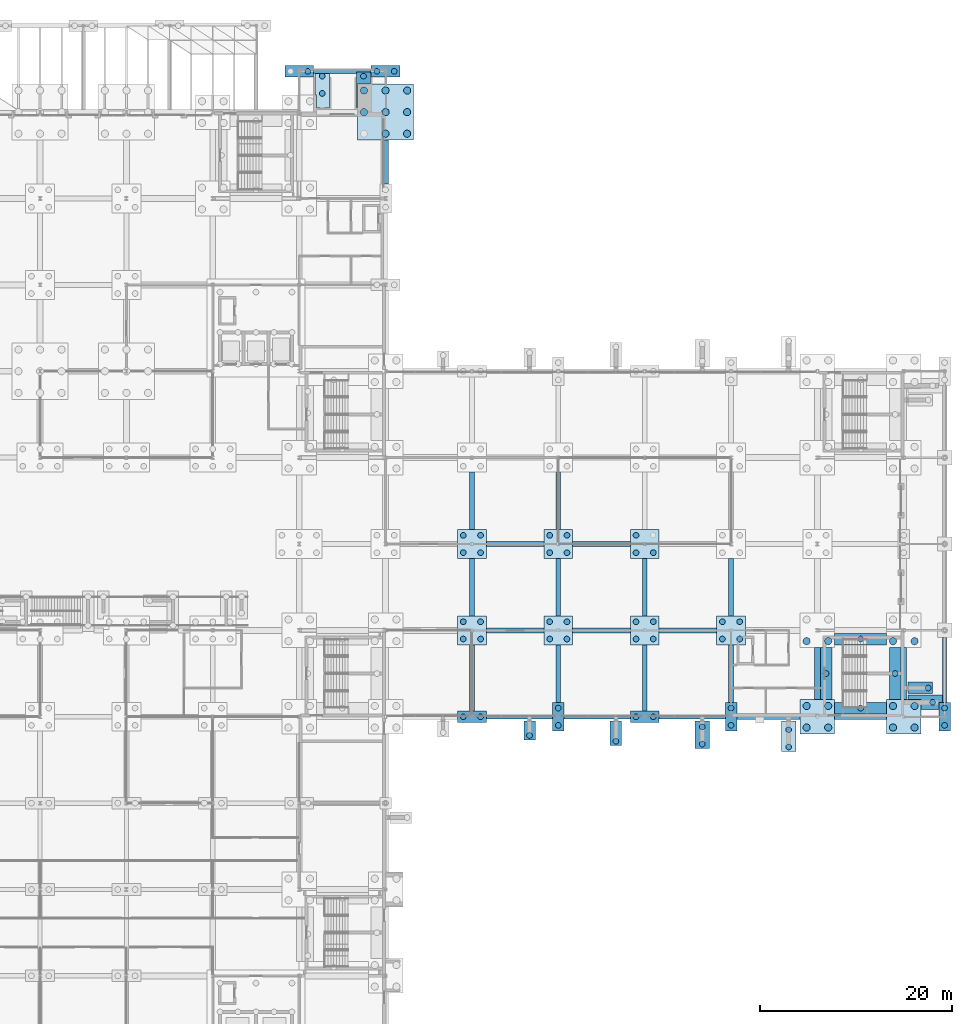
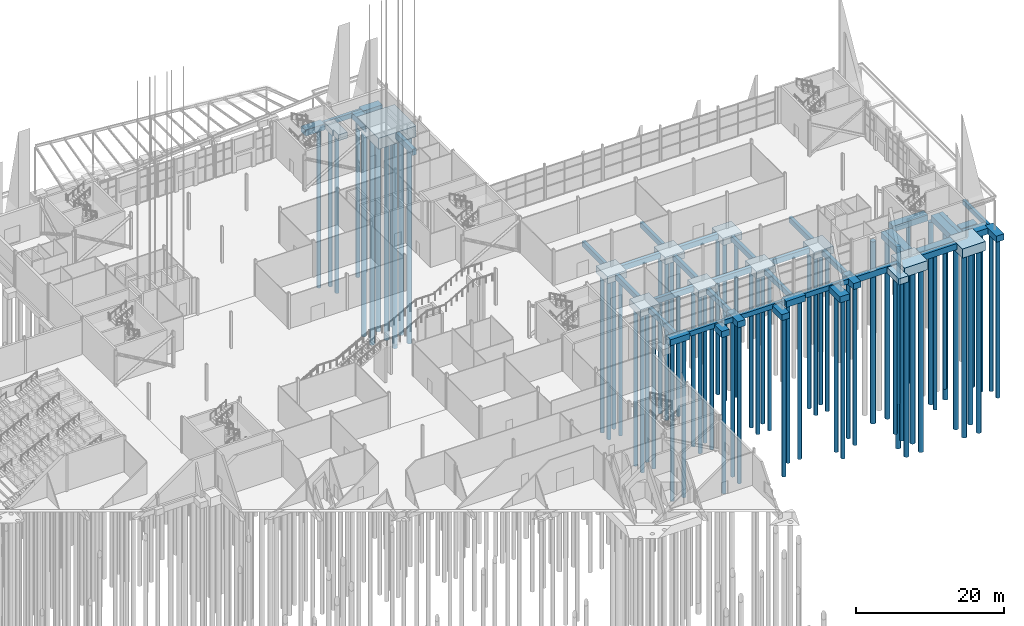
# One storey, part 9 of 139: 75 piles, 54 footings.
"""IFC4 building model written with IfcOpenShell, lengths in metres."""

from ifc_helpers import new_model, si_unit, direction, frame, origin, origin_2d, place, context, subcontext, project, spatial, polyline, rectangle, circle, outline, extrude, material, material_profile, profile_set, type_object, element, save


model = new_model("IFC4")

# Units and contexts
model_context = context("Model", 3, precision=1e-05, world=origin(), true_north=direction((0.0, 1.0)))
body_context = subcontext(model_context, "Body", "Model", "MODEL_VIEW")
ifc_project = project(units=[si_unit("LENGTHUNIT", "METRE"), si_unit("AREAUNIT", "SQUARE_METRE"), si_unit("VOLUMEUNIT", "CUBIC_METRE"), si_unit("PLANEANGLEUNIT", "RADIAN"), si_unit("MASSUNIT", "GRAM", prefix="KILO")], contexts=[model_context])

# Site, building, storey
site_placement = place(None, origin())
site = spatial("IfcSite", under=ifc_project, at=site_placement, CompositionType="ELEMENT")
building_placement = place(site_placement, origin())
building = spatial("IfcBuilding", under=site, at=building_placement, Name="Shorebreak Coast Museum", CompositionType="ELEMENT")
storey_placement = place(building_placement, origin())
storey = spatial("IfcBuildingStorey", under=building, at=storey_placement, Name="L00", CompositionType="ELEMENT", Elevation=0.0)

# Footings
ifc_material_1 = material(Name="Concrete N50 (50 MPa)", Category="concrete")
footing_type_1 = type_object("IfcFootingType", Name="Footing ground beam 450x800", PredefinedType="FOOTING_BEAM", material=ifc_material_1)
for number, where, z_axis, x_axis, name in (
    (1, (130.949951171875, 54.0, -1.10009765625), (0.0, 0.0, 1.0), (1.0, 0.0, 0.0), "Ground beam 15G to 16G"),
    (2, (139.050048828125, 54.0, -1.10009765625), (0.0, 0.0, 1.0), (1.0, 0.0, 0.0), "Ground beam 16G to 17G"),
    (3, (148.949951171875, 54.0, -1.10009765625), (0.0, 0.0, 1.0), (1.0, 0.0, 0.0), "Ground beam 17G to 18G"),
):
    element("IfcFooting", number, at=place(storey_placement, frame(where, z_axis=z_axis, x_axis=x_axis)), inside=storey, type_object=footing_type_1, Name=name, PredefinedType="FOOTING_BEAM", context=body_context, shape_type="SweptSolid", body=[
        extrude(rectangle(XDim=6.89990234375, YDim=0.449951171875, at=origin_2d()), origin(), (0.0, 0.0, 1.0), 0.800048828125),
    ])
footing_1_placement = place(storey_placement, frame((112.5, 121.25, -1.10009765625), z_axis=(0.0, 0.0, 1.0), x_axis=(1.0, 0.0, 0.0)))
element("IfcFooting", 4, at=footing_1_placement, inside=storey, type_object=footing_type_1, Name="Ground beam arcade north 3 to 4", PredefinedType="FOOTING_BEAM", context=body_context, shape_type="SweptSolid", body=[
    extrude(rectangle(XDim=6.0, YDim=0.449951171875, at=origin_2d()), origin(), (0.0, 0.0, 1.0), 0.800048828125),
])
footing_2_placement = place(storey_placement, frame((175.25, 58.875, -1.10009765625), z_axis=(0.0, 0.0, 1.0), x_axis=(1.0, 0.0, 0.0)))
element("IfcFooting", 5, at=footing_2_placement, inside=storey, type_object=footing_type_1, Name="Ground beam arcade east 1 to 2", PredefinedType="FOOTING_BEAM", context=body_context, shape_type="SweptSolid", body=[
    extrude(rectangle(XDim=0.449951171875, YDim=6.75, at=origin_2d()), origin(), (0.0, 0.0, 1.0), 0.800048828125),
])
ifc_material_2 = material(Name="Concrete N50 (50 MPa)", Category="concrete")
footing_type_2 = type_object("IfcFootingType", Name="Footing ground beam 500x900", PredefinedType="FOOTING_BEAM", material=ifc_material_2)
footing_3_placement = place(storey_placement, frame((126.0, 58.050048828125, -1.199951171875), z_axis=(0.0, 0.0, 1.0), x_axis=(1.0, 0.0, 0.0)))
element("IfcFooting", 6, at=footing_3_placement, inside=storey, type_object=footing_type_2, Name="Ground beam 15G to 15H", PredefinedType="FOOTING_BEAM", context=body_context, shape_type="SweptSolid", body=[
    extrude(rectangle(XDim=0.5, YDim=6.89990234375, at=origin_2d()), origin(), (0.0, 0.0, 1.0), 0.89990234375),
])
footing_4_placement = place(storey_placement, frame((135.0, 58.5, -1.199951171875), z_axis=(0.0, 0.0, 1.0), x_axis=(1.0, 0.0, 0.0)))
element("IfcFooting", 7, at=footing_4_placement, inside=storey, type_object=footing_type_2, Name="Ground beam 16G to 16H", PredefinedType="FOOTING_BEAM", context=body_context, shape_type="SweptSolid", body=[
    extrude(rectangle(XDim=0.5, YDim=6.0, at=origin_2d()), origin(), (0.0, 0.0, 1.0), 0.89990234375),
])
footing_5_placement = place(storey_placement, frame((144.0, 58.050048828125, -1.199951171875), z_axis=(0.0, 0.0, 1.0), x_axis=(1.0, 0.0, 0.0)))
element("IfcFooting", 8, at=footing_5_placement, inside=storey, type_object=footing_type_2, Name="Ground beam 17G to 17H", PredefinedType="FOOTING_BEAM", context=body_context, shape_type="SweptSolid", body=[
    extrude(rectangle(XDim=0.5, YDim=6.89990234375, at=origin_2d()), origin(), (0.0, 0.0, 1.0), 0.89990234375),
])
footing_6_placement = place(storey_placement, frame((153.0, 58.5, -1.199951171875), z_axis=(0.0, 0.0, 1.0), x_axis=(1.0, 0.0, 0.0)))
element("IfcFooting", 9, at=footing_6_placement, inside=storey, type_object=footing_type_2, Name="Ground beam 18G to 18H", PredefinedType="FOOTING_BEAM", context=body_context, shape_type="SweptSolid", body=[
    extrude(rectangle(XDim=0.5, YDim=6.0, at=origin_2d()), origin(), (0.0, 0.0, 1.0), 0.89990234375),
])
footing_7_placement = place(storey_placement, frame((130.5, 63.0, -1.199951171875), z_axis=(0.0, 0.0, 1.0), x_axis=(1.0, 0.0, 0.0)))
element("IfcFooting", 10, at=footing_7_placement, inside=storey, type_object=footing_type_2, Name="Ground beam 15H to 16H", PredefinedType="FOOTING_BEAM", context=body_context, shape_type="SweptSolid", body=[
    extrude(rectangle(XDim=6.0, YDim=0.5, at=origin_2d()), origin(), (0.0, 0.0, 1.0), 0.89990234375),
])
footing_8_placement = place(storey_placement, frame((126.0, 67.5, -1.199951171875), z_axis=(0.0, 0.0, 1.0), x_axis=(1.0, 0.0, 0.0)))
element("IfcFooting", 11, at=footing_8_placement, inside=storey, type_object=footing_type_2, Name="Ground beam 15H to 15J", PredefinedType="FOOTING_BEAM", context=body_context, shape_type="SweptSolid", body=[
    extrude(rectangle(XDim=0.5, YDim=6.0, at=origin_2d()), origin(), (0.0, 0.0, 1.0), 0.89990234375),
])
footing_9_placement = place(storey_placement, frame((139.5, 63.0, -1.199951171875), z_axis=(0.0, 0.0, 1.0), x_axis=(1.0, 0.0, 0.0)))
element("IfcFooting", 12, at=footing_9_placement, inside=storey, type_object=footing_type_2, Name="Ground beam 16H to 17H", PredefinedType="FOOTING_BEAM", context=body_context, shape_type="SweptSolid", body=[
    extrude(rectangle(XDim=6.0, YDim=0.5, at=origin_2d()), origin(), (0.0, 0.0, 1.0), 0.89990234375),
])
footing_10_placement = place(storey_placement, frame((135.0, 67.5, -1.199951171875), z_axis=(0.0, 0.0, 1.0), x_axis=(1.0, 0.0, 0.0)))
element("IfcFooting", 13, at=footing_10_placement, inside=storey, type_object=footing_type_2, Name="Ground beam 16H to 16J", PredefinedType="FOOTING_BEAM", context=body_context, shape_type="SweptSolid", body=[
    extrude(rectangle(XDim=0.5, YDim=6.0, at=origin_2d()), origin(), (0.0, 0.0, 1.0), 0.89990234375),
])
footing_11_placement = place(storey_placement, frame((148.5, 63.0, -1.199951171875), z_axis=(0.0, 0.0, 1.0), x_axis=(1.0, 0.0, 0.0)))
element("IfcFooting", 14, at=footing_11_placement, inside=storey, type_object=footing_type_2, Name="Ground beam 17H to 18H", PredefinedType="FOOTING_BEAM", context=body_context, shape_type="SweptSolid", body=[
    extrude(rectangle(XDim=6.0, YDim=0.5, at=origin_2d()), origin(), (0.0, 0.0, 1.0), 0.89990234375),
])
for number, where, z_axis, x_axis, name in (
    (15, (144.0, 67.5, -1.199951171875), (0.0, 0.0, 1.0), (1.0, 0.0, 0.0), "Ground beam 17H to 17J"),
    (16, (153.0, 67.5, -1.199951171875), (0.0, 0.0, 1.0), (1.0, 0.0, 0.0), "Ground beam 18H to 18J"),
):
    element("IfcFooting", number, at=place(storey_placement, frame(where, z_axis=z_axis, x_axis=x_axis)), inside=storey, type_object=footing_type_2, Name=name, PredefinedType="FOOTING_BEAM", context=body_context, shape_type="SweptSolid", body=[
        extrude(rectangle(XDim=0.5, YDim=6.0, at=origin_2d()), origin(), (0.0, 0.0, 1.0), 0.89990234375),
    ])
footing_12_placement = place(storey_placement, frame((130.5, 72.0, -1.199951171875), z_axis=(0.0, 0.0, 1.0), x_axis=(1.0, 0.0, 0.0)))
element("IfcFooting", 17, at=footing_12_placement, inside=storey, type_object=footing_type_2, Name="Ground beam 15J to 16J", PredefinedType="FOOTING_BEAM", context=body_context, shape_type="SweptSolid", body=[
    extrude(rectangle(XDim=6.0, YDim=0.5, at=origin_2d()), origin(), (0.0, 0.0, 1.0), 0.89990234375),
])
footing_13_placement = place(storey_placement, frame((126.0, 76.5, -1.199951171875), z_axis=(0.0, 0.0, 1.0), x_axis=(1.0, 0.0, 0.0)))
element("IfcFooting", 18, at=footing_13_placement, inside=storey, type_object=footing_type_2, Name="Ground beam 15J to 15K", PredefinedType="FOOTING_BEAM", context=body_context, shape_type="SweptSolid", body=[
    extrude(rectangle(XDim=0.5, YDim=6.0, at=origin_2d()), origin(), (0.0, 0.0, 1.0), 0.89990234375),
])
footing_14_placement = place(storey_placement, frame((139.5, 72.0, -1.199951171875), z_axis=(0.0, 0.0, 1.0), x_axis=(1.0, 0.0, 0.0)))
element("IfcFooting", 19, at=footing_14_placement, inside=storey, type_object=footing_type_2, Name="Ground beam 16J to 17J", PredefinedType="FOOTING_BEAM", context=body_context, shape_type="SweptSolid", body=[
    extrude(rectangle(XDim=6.0, YDim=0.5, at=origin_2d()), origin(), (0.0, 0.0, 1.0), 0.89990234375),
])
footing_15_placement = place(storey_placement, frame((135.0, 76.5, -1.199951171875), z_axis=(0.0, 0.0, 1.0), x_axis=(1.0, 0.0, 0.0)))
element("IfcFooting", 20, at=footing_15_placement, inside=storey, type_object=footing_type_2, Name="Ground beam 16J to 16K", PredefinedType="FOOTING_BEAM", context=body_context, shape_type="SweptSolid", body=[
    extrude(rectangle(XDim=0.5, YDim=6.0, at=origin_2d()), origin(), (0.0, 0.0, 1.0), 0.89990234375),
])
ifc_material_3 = material(Name="Concrete N50 (50 MPa)", Category="concrete")
footing_type_3 = type_object("IfcFootingType", Name="Footing ground beam 600x1000", PredefinedType="FOOTING_BEAM", material=ifc_material_3)
footing_16_placement = place(storey_placement, frame((156.89990234375, 54.0, -1.300048828125), z_axis=(0.0, 0.0, 1.0), x_axis=(1.0, 0.0, 0.0)))
element("IfcFooting", 21, at=footing_16_placement, inside=storey, type_object=footing_type_3, Name="Ground beam 18G to 19G", PredefinedType="FOOTING_BEAM", context=body_context, shape_type="SweptSolid", body=[
    extrude(rectangle(XDim=6.60009765625, YDim=0.60009765625, at=origin_2d()), origin(), (0.0, 0.0, 1.0), 1.0),
])
footing_17_placement = place(storey_placement, frame((166.5, 54.0, -1.300048828125), z_axis=(0.0, 0.0, 1.0), x_axis=(1.0, 0.0, 0.0)))
element("IfcFooting", 22, at=footing_17_placement, inside=storey, type_object=footing_type_3, Name="Ground beam 19G to 20G", PredefinedType="FOOTING_BEAM", context=body_context, shape_type="SweptSolid", body=[
    extrude(rectangle(XDim=5.39990234375, YDim=0.60009765625, at=origin_2d()), origin(), (0.0, 0.0, 1.0), 1.0),
])
for number, where, z_axis, x_axis, name in (
    (23, (162.0, 58.5, -1.300048828125), (0.0, 0.0, 1.0), (1.0, 0.0, 0.0), "Ground beam 19G to 19H"),
    (24, (171.0, 58.5, -1.300048828125), (0.0, 0.0, 1.0), (1.0, 0.0, 0.0), "Ground beam 20G to 20H"),
):
    element("IfcFooting", number, at=place(storey_placement, frame(where, z_axis=z_axis, x_axis=x_axis)), inside=storey, type_object=footing_type_3, Name=name, PredefinedType="FOOTING_BEAM", context=body_context, shape_type="SweptSolid", body=[
        extrude(rectangle(XDim=0.60009765625, YDim=5.39990234375, at=origin_2d()), origin(), (0.0, 0.0, 1.0), 1.0),
    ])
footing_18_placement = place(storey_placement, frame((117.0, 111.78759765625, -1.300048828125), z_axis=(0.0, 0.0, 1.0), x_axis=(1.0, 0.0, 0.0)))
element("IfcFooting", 25, at=footing_18_placement, inside=storey, type_object=footing_type_3, Name="Ground beam 14N to 14P", PredefinedType="FOOTING_BEAM", context=body_context, shape_type="SweptSolid", body=[
    extrude(rectangle(XDim=0.60009765625, YDim=4.574951171875, at=origin_2d()), origin(), (0.0, 0.0, 1.0), 1.0),
])
ifc_material_4 = material(Name="Concrete N50 (50 MPa)", Category="concrete")
footing_type_4 = type_object("IfcFootingType", Name="Footing pile cap 1200x3000x1000", PredefinedType="PILE_CAP", material=ifc_material_4)
for number, where, z_axis, x_axis, name in (
    (26, (135.0, 54.0, -1.300048828125), (0.0, 0.0, 1.0), (1.0, 0.0, 0.0), "Pile cap 16G"),
    (27, (153.0, 54.0, -1.300048828125), (0.0, 0.0, 1.0), (1.0, 0.0, 0.0), "Pile cap 18G"),
    (28, (175.25, 54.0, -1.300048828125), (0.0, 0.0, 1.0), (1.0, 0.0, 0.0), "Pile cap arcade east 1"),
):
    element("IfcFooting", number, at=place(storey_placement, frame(where, z_axis=z_axis, x_axis=x_axis)), inside=storey, type_object=footing_type_4, Name=name, PredefinedType="PILE_CAP", context=body_context, shape_type="SweptSolid", body=[
        extrude(rectangle(XDim=1.199951171875, YDim=3.0, at=origin_2d()), origin(), (0.0, 0.0, 1.0), 1.0),
    ])
ifc_material_5 = material(Name="Concrete N50 (50 MPa)", Category="concrete")
footing_type_5 = type_object("IfcFootingType", Name="Footing pile cap 3000x1200x1000", PredefinedType="PILE_CAP", material=ifc_material_5)
for number, where, z_axis, x_axis, name in (
    (29, (126.0, 54.0, -1.300048828125), (0.0, 0.0, 1.0), (1.0, 0.0, 0.0), "Pile cap 15G"),
    (30, (144.0, 54.0, -1.300048828125), (0.0, 0.0, 1.0), (1.0, 0.0, 0.0), "Pile cap 17G"),
    (31, (108.0, 121.25, -1.300048828125), (0.0, 0.0, 1.0), (1.0, 0.0, 0.0), "Pile cap arcade north 3"),
    (32, (117.0, 121.25, -1.300048828125), (0.0, 0.0, 1.0), (1.0, 0.0, 0.0), "Pile cap arcade north 4"),
):
    element("IfcFooting", number, at=place(storey_placement, frame(where, z_axis=z_axis, x_axis=x_axis)), inside=storey, type_object=footing_type_5, Name=name, PredefinedType="PILE_CAP", context=body_context, shape_type="SweptSolid", body=[
        extrude(rectangle(XDim=3.0, YDim=1.199951171875, at=origin_2d()), origin(), (0.0, 0.0, 1.0), 1.0),
    ])
ifc_material_6 = material(Name="Concrete N50 (50 MPa)", Category="concrete")
footing_type_6 = type_object("IfcFootingType", Name="Footing pile cap 3000x3000x1200", PredefinedType="PILE_CAP", material=ifc_material_6)
for number, where, z_axis, x_axis, name in (
    (33, (126.0, 63.0, -1.5), (0.0, 0.0, 1.0), (1.0, 0.0, 0.0), "Pile cap 15H"),
    (34, (135.0, 63.0, -1.5), (0.0, 0.0, 1.0), (1.0, 0.0, 0.0), "Pile cap 16H"),
    (35, (144.0, 63.0, -1.5), (0.0, 0.0, 1.0), (1.0, 0.0, 0.0), "Pile cap 17H"),
    (36, (153.0, 63.0, -1.5), (0.0, 0.0, 1.0), (1.0, 0.0, 0.0), "Pile cap 18H"),
    (37, (126.0, 72.0, -1.5), (0.0, 0.0, 1.0), (1.0, 0.0, 0.0), "Pile cap 15J"),
    (38, (135.0, 72.0, -1.5), (0.0, 0.0, 1.0), (1.0, 0.0, 0.0), "Pile cap 16J"),
    (39, (144.0, 72.0, -1.5), (0.0, 0.0, 1.0), (1.0, 0.0, 0.0), "Pile cap 17J"),
):
    element("IfcFooting", number, at=place(storey_placement, frame(where, z_axis=z_axis, x_axis=x_axis)), inside=storey, type_object=footing_type_6, Name=name, PredefinedType="PILE_CAP", context=body_context, shape_type="SweptSolid", body=[
        extrude(rectangle(XDim=3.0, YDim=3.0, at=origin_2d()), origin(), (0.0, 0.0, 1.0), 1.199951171875),
    ])
ifc_material_7 = material(Name="Concrete N50 (50 MPa)", Category="concrete")
footing_type_7 = type_object("IfcFootingType", Name="Footing pile cap 3600x3600x1500", PredefinedType="PILE_CAP", material=ifc_material_7)
for number, where, z_axis, x_axis, name in (
    (40, (162.0, 54.0, -1.800048828125), (0.0, 0.0, 1.0), (1.0, 0.0, 0.0), "Pile cap 19G"),
    (41, (171.0, 54.0, -1.800048828125), (0.0, 0.0, 1.0), (1.0, 0.0, 0.0), "Pile cap 20G"),
):
    element("IfcFooting", number, at=place(storey_placement, frame(where, z_axis=z_axis, x_axis=x_axis)), inside=storey, type_object=footing_type_7, Name=name, PredefinedType="PILE_CAP", context=body_context, shape_type="SweptSolid", body=[
        extrude(rectangle(XDim=3.60009765625, YDim=3.60009765625, at=origin_2d()), origin(), (0.0, 0.0, 1.0), 1.5),
    ])
ifc_material_8 = material(Name="Concrete N50 (50 MPa)", Category="concrete")
footing_type_8 = type_object("IfcFootingType", Name="Footing pile cap 5850x5850x1800", PredefinedType="PILE_CAP", material=ifc_material_8)
footing_19_placement = place(storey_placement, frame((117.0, 117.0, -2.10009765625), z_axis=(0.0, 0.0, 1.0), x_axis=(1.0, 0.0, 0.0)))
element("IfcFooting", 42, at=footing_19_placement, inside=storey, type_object=footing_type_8, Name="Pile cap 14P", PredefinedType="PILE_CAP", context=body_context, shape_type="SweptSolid", body=[
    extrude(rectangle(XDim=5.85009765625, YDim=5.85009765625, at=origin_2d()), origin(), (0.0, 0.0, 1.0), 1.800048828125),
])
ifc_material_9 = material(Name="Concrete N50 (50 MPa)", Category="concrete")
footing_type_9 = type_object("IfcFootingType", Name="Footing strip footing 1200x1950x1000", PredefinedType="STRIP_FOOTING", material=ifc_material_9)
footing_20_placement = place(storey_placement, frame((132.0, 52.574951171875, -1.300048828125), z_axis=(0.0, 0.0, 1.0), x_axis=(1.0, 0.0, 0.0)))
element("IfcFooting", 43, at=footing_20_placement, inside=storey, type_object=footing_type_9, Name="Fin pad ES27", PredefinedType="STRIP_FOOTING", context=body_context, shape_type="SweptSolid", body=[
    extrude(rectangle(XDim=1.199951171875, YDim=1.949951171875, at=origin_2d()), origin(), (0.0, 0.0, 1.0), 1.0),
])
ifc_material_10 = material(Name="Concrete N50 (50 MPa)", Category="concrete")
footing_type_10 = type_object("IfcFootingType", Name="Footing strip footing 1200x2550x1000", PredefinedType="STRIP_FOOTING", material=ifc_material_10)
footing_21_placement = place(storey_placement, frame((141.0, 52.27490234375, -1.300048828125), z_axis=(0.0, 0.0, 1.0), x_axis=(1.0, 0.0, 0.0)))
element("IfcFooting", 44, at=footing_21_placement, inside=storey, type_object=footing_type_10, Name="Fin pad ES26", PredefinedType="STRIP_FOOTING", context=body_context, shape_type="SweptSolid", body=[
    extrude(rectangle(XDim=1.199951171875, YDim=2.550048828125, at=origin_2d()), origin(), (0.0, 0.0, 1.0), 1.0),
])
ifc_material_11 = material(Name="Concrete N50 (50 MPa)", Category="concrete")
footing_type_11 = type_object("IfcFootingType", Name="Footing strip footing 1200x5400x1000", PredefinedType="STRIP_FOOTING", material=ifc_material_11)
for number, where, z_axis, x_axis, name in (
    (45, (162.89990234375, 58.5, -1.300048828125), (0.0, 0.0, 1.0), (1.0, 0.0, 0.0), "Core wall strip footing ST07 west side"),
    (46, (170.10009765625, 58.5, -1.300048828125), (0.0, 0.0, 1.0), (1.0, 0.0, 0.0), "Core wall strip footing ST07 east side"),
):
    element("IfcFooting", number, at=place(storey_placement, frame(where, z_axis=z_axis, x_axis=x_axis)), inside=storey, type_object=footing_type_11, Name=name, PredefinedType="STRIP_FOOTING", context=body_context, shape_type="SweptSolid", body=[
        extrude(rectangle(XDim=1.199951171875, YDim=5.39990234375, at=origin_2d()), origin(), (0.0, 0.0, 1.0), 1.0),
    ])
ifc_material_12 = material(Name="Concrete N50 (50 MPa)", Category="concrete")
footing_type_12 = type_object("IfcFootingType", Name="Footing strip footing 1500x2850x1000", PredefinedType="STRIP_FOOTING", material=ifc_material_12)
footing_22_placement = place(storey_placement, frame((150.0, 52.125, -1.300048828125), z_axis=(0.0, 0.0, 1.0), x_axis=(1.0, 0.0, 0.0)))
element("IfcFooting", 47, at=footing_22_placement, inside=storey, type_object=footing_type_12, Name="Fin pad ES25", PredefinedType="STRIP_FOOTING", context=body_context, shape_type="SweptSolid", body=[
    extrude(rectangle(XDim=1.5, YDim=2.85009765625, at=origin_2d()), origin(), (0.0, 0.0, 1.0), 1.0),
])
ifc_material_13 = material(Name="Concrete N50 (50 MPa)", Category="concrete")
footing_type_13 = type_object("IfcFootingType", Name="Footing strip footing 1500x3150x1000", PredefinedType="STRIP_FOOTING", material=ifc_material_13)
footing_23_placement = place(storey_placement, frame((159.0, 51.97509765625, -1.300048828125), z_axis=(0.0, 0.0, 1.0), x_axis=(1.0, 0.0, 0.0)))
element("IfcFooting", 48, at=footing_23_placement, inside=storey, type_object=footing_type_13, Name="Fin pad ES24", PredefinedType="STRIP_FOOTING", context=body_context, shape_type="SweptSolid", body=[
    extrude(rectangle(XDim=1.5, YDim=3.14990234375, at=origin_2d()), origin(), (0.0, 0.0, 1.0), 1.0),
])
ifc_material_14 = material(Name="Concrete N50 (50 MPa)", Category="concrete")
footing_type_14 = type_object("IfcFootingType", Name="Footing strip footing 1500x3750x1000 notched", PredefinedType="STRIP_FOOTING", material=ifc_material_14)
footing_24_placement = place(storey_placement, frame((0.0, 0.0, -1.300048828125)))
element("IfcFooting", 49, at=footing_24_placement, inside=storey, type_object=footing_type_14, Name="Fin pad N31", PredefinedType="STRIP_FOOTING", context=body_context, shape_type="SweptSolid", body=[
    extrude(outline(polyline([(109.64990234375, 121.199951171875), (111.14990234375, 121.199951171875), (111.14990234375, 117.449951171875), (109.800048828125, 117.449951171875), (109.800048828125, 118.800048828125), (109.64990234375, 118.800048828125), (109.64990234375, 121.199951171875)])), origin(), (0.0, 0.0, 1.0), 1.0),
])
footing_25_placement = place(storey_placement, frame((0.0, 0.0, -1.300048828125)))
element("IfcFooting", 50, at=footing_25_placement, inside=storey, type_object=footing_type_14, Name="Fin pad N32", PredefinedType="STRIP_FOOTING", context=body_context, shape_type="SweptSolid", body=[
    extrude(outline(polyline([(113.949951171875, 117.449951171875), (113.949951171875, 121.199951171875), (115.449951171875, 121.199951171875), (115.449951171875, 119.925048828125), (114.074951171875, 119.925048828125), (114.074951171875, 117.449951171875), (113.949951171875, 117.449951171875)])), origin(), (0.0, 0.0, 1.0), 1.0),
])
ifc_material_15 = material(Name="Concrete N50 (50 MPa)", Category="concrete")
footing_type_15 = type_object("IfcFootingType", Name="Footing strip footing 2550x1200x1000", PredefinedType="STRIP_FOOTING", material=ifc_material_15)
footing_26_placement = place(storey_placement, frame((172.72509765625, 57.0, -1.300048828125), z_axis=(0.0, 0.0, 1.0), x_axis=(1.0, 0.0, 0.0)))
element("IfcFooting", 51, at=footing_26_placement, inside=storey, type_object=footing_type_15, Name="Fin pad E06", PredefinedType="STRIP_FOOTING", context=body_context, shape_type="SweptSolid", body=[
    extrude(rectangle(XDim=2.550048828125, YDim=1.199951171875, at=origin_2d()), origin(), (0.0, 0.0, 1.0), 1.0),
])
ifc_material_16 = material(Name="Concrete N50 (50 MPa)", Category="concrete")
footing_type_16 = type_object("IfcFootingType", Name="Footing strip footing 3750x1500x1000 notched", PredefinedType="STRIP_FOOTING", material=ifc_material_16)
footing_27_placement = place(storey_placement, frame((0.0, 0.0, -1.300048828125)))
element("IfcFooting", 52, at=footing_27_placement, inside=storey, type_object=footing_type_16, Name="Fin pad E05", PredefinedType="STRIP_FOOTING", context=body_context, shape_type="SweptSolid", body=[
    extrude(outline(polyline([(171.449951171875, 56.25), (175.199951171875, 56.25), (175.199951171875, 54.75), (172.800048828125, 54.75), (172.800048828125, 55.800048828125), (171.449951171875, 55.800048828125), (171.449951171875, 56.25)])), origin(), (0.0, 0.0, 1.0), 1.0),
])
ifc_material_17 = material(Name="Concrete N50 (50 MPa)", Category="concrete")
footing_type_17 = type_object("IfcFootingType", Name="Footing strip footing 5400x1200x1000", PredefinedType="STRIP_FOOTING", material=ifc_material_17)
for number, where, z_axis, x_axis, name in (
    (53, (166.5, 54.89990234375, -1.300048828125), (0.0, 0.0, 1.0), (1.0, 0.0, 0.0), "Core wall strip footing ST07 south side"),
    (54, (166.5, 62.10009765625, -1.300048828125), (0.0, 0.0, 1.0), (1.0, 0.0, 0.0), "Core wall strip footing ST07 north side"),
):
    element("IfcFooting", number, at=place(storey_placement, frame(where, z_axis=z_axis, x_axis=x_axis)), inside=storey, type_object=footing_type_17, Name=name, PredefinedType="STRIP_FOOTING", context=body_context, shape_type="SweptSolid", body=[
        extrude(rectangle(XDim=5.39990234375, YDim=1.199951171875, at=origin_2d()), origin(), (0.0, 0.0, 1.0), 1.0),
    ])

# Piles
ifc_material_18 = material(Name="Concrete N50 (50 MPa)", Category="concrete")
ifc_material_profile_1 = material_profile(ifc_material_18, circle(Radius=0.300048828125, at=origin_2d()), Name="Pile bored 600 length 26")
ifc_profile_set_1 = profile_set([ifc_material_profile_1], Name="Concrete N50 (50 MPa)")
pile_type_1 = type_object("IfcPileType", Name="Pile bored 600 length 26", PredefinedType="BORED", material=ifc_profile_set_1)
for number, where, z_axis, x_axis, name in (
    (55, (125.10009765625, 54.0, -1.300048828125), (0.0, 0.0, -1.0), (1.0, 0.0, 0.0), "Bored pile Pile cap 15G 1"),
    (56, (126.89990234375, 54.0, -1.300048828125), (0.0, 0.0, -1.0), (1.0, 0.0, 0.0), "Bored pile Pile cap 15G 2"),
    (57, (135.0, 53.10009765625, -1.300048828125), (0.0, 0.0, -1.0), (1.0, 0.0, 0.0), "Bored pile Pile cap 16G 1"),
    (58, (135.0, 54.89990234375, -1.300048828125), (0.0, 0.0, -1.0), (1.0, 0.0, 0.0), "Bored pile Pile cap 16G 2"),
    (59, (143.10009765625, 54.0, -1.300048828125), (0.0, 0.0, -1.0), (1.0, 0.0, 0.0), "Bored pile Pile cap 17G 1"),
    (60, (144.89990234375, 54.0, -1.300048828125), (0.0, 0.0, -1.0), (1.0, 0.0, 0.0), "Bored pile Pile cap 17G 2"),
    (61, (153.0, 53.10009765625, -1.300048828125), (0.0, 0.0, -1.0), (1.0, 0.0, 0.0), "Bored pile Pile cap 18G 1"),
    (62, (153.0, 54.89990234375, -1.300048828125), (0.0, 0.0, -1.0), (1.0, 0.0, 0.0), "Bored pile Pile cap 18G 2"),
    (63, (125.10009765625, 62.10009765625, -1.5), (0.0, 0.0, -1.0), (1.0, 0.0, 0.0), "Bored pile Pile cap 15H 1"),
    (64, (126.89990234375, 62.10009765625, -1.5), (0.0, 0.0, -1.0), (1.0, 0.0, 0.0), "Bored pile Pile cap 15H 2"),
    (65, (125.10009765625, 63.89990234375, -1.5), (0.0, 0.0, -1.0), (1.0, 0.0, 0.0), "Bored pile Pile cap 15H 3"),
    (66, (126.89990234375, 63.89990234375, -1.5), (0.0, 0.0, -1.0), (1.0, 0.0, 0.0), "Bored pile Pile cap 15H 4"),
    (67, (134.10009765625, 62.10009765625, -1.5), (0.0, 0.0, -1.0), (1.0, 0.0, 0.0), "Bored pile Pile cap 16H 1"),
    (68, (135.89990234375, 62.10009765625, -1.5), (0.0, 0.0, -1.0), (1.0, 0.0, 0.0), "Bored pile Pile cap 16H 2"),
    (69, (134.10009765625, 63.89990234375, -1.5), (0.0, 0.0, -1.0), (1.0, 0.0, 0.0), "Bored pile Pile cap 16H 3"),
    (70, (135.89990234375, 63.89990234375, -1.5), (0.0, 0.0, -1.0), (1.0, 0.0, 0.0), "Bored pile Pile cap 16H 4"),
    (71, (143.10009765625, 62.10009765625, -1.5), (0.0, 0.0, -1.0), (1.0, 0.0, 0.0), "Bored pile Pile cap 17H 1"),
    (72, (144.89990234375, 62.10009765625, -1.5), (0.0, 0.0, -1.0), (1.0, 0.0, 0.0), "Bored pile Pile cap 17H 2"),
    (73, (143.10009765625, 63.89990234375, -1.5), (0.0, 0.0, -1.0), (1.0, 0.0, 0.0), "Bored pile Pile cap 17H 3"),
    (74, (144.89990234375, 63.89990234375, -1.5), (0.0, 0.0, -1.0), (1.0, 0.0, 0.0), "Bored pile Pile cap 17H 4"),
    (75, (152.10009765625, 62.10009765625, -1.5), (0.0, 0.0, -1.0), (1.0, 0.0, 0.0), "Bored pile Pile cap 18H 1"),
    (76, (153.89990234375, 62.10009765625, -1.5), (0.0, 0.0, -1.0), (1.0, 0.0, 0.0), "Bored pile Pile cap 18H 2"),
    (77, (152.10009765625, 63.89990234375, -1.5), (0.0, 0.0, -1.0), (1.0, 0.0, 0.0), "Bored pile Pile cap 18H 3"),
    (78, (153.89990234375, 63.89990234375, -1.5), (0.0, 0.0, -1.0), (1.0, 0.0, 0.0), "Bored pile Pile cap 18H 4"),
    (79, (125.10009765625, 71.10009765625, -1.5), (0.0, 0.0, -1.0), (1.0, 0.0, 0.0), "Bored pile Pile cap 15J 1"),
    (80, (126.89990234375, 71.10009765625, -1.5), (0.0, 0.0, -1.0), (1.0, 0.0, 0.0), "Bored pile Pile cap 15J 2"),
    (81, (125.10009765625, 72.89990234375, -1.5), (0.0, 0.0, -1.0), (1.0, 0.0, 0.0), "Bored pile Pile cap 15J 3"),
    (82, (126.89990234375, 72.89990234375, -1.5), (0.0, 0.0, -1.0), (1.0, 0.0, 0.0), "Bored pile Pile cap 15J 4"),
    (83, (134.10009765625, 71.10009765625, -1.5), (0.0, 0.0, -1.0), (1.0, 0.0, 0.0), "Bored pile Pile cap 16J 1"),
    (84, (135.89990234375, 71.10009765625, -1.5), (0.0, 0.0, -1.0), (1.0, 0.0, 0.0), "Bored pile Pile cap 16J 2"),
    (85, (134.10009765625, 72.89990234375, -1.5), (0.0, 0.0, -1.0), (1.0, 0.0, 0.0), "Bored pile Pile cap 16J 3"),
    (86, (135.89990234375, 72.89990234375, -1.5), (0.0, 0.0, -1.0), (1.0, 0.0, 0.0), "Bored pile Pile cap 16J 4"),
    (87, (143.10009765625, 71.10009765625, -1.5), (0.0, 0.0, -1.0), (1.0, 0.0, 0.0), "Bored pile Pile cap 17J 1"),
    (88, (144.89990234375, 71.10009765625, -1.5), (0.0, 0.0, -1.0), (1.0, 0.0, 0.0), "Bored pile Pile cap 17J 2"),
    (89, (143.10009765625, 72.89990234375, -1.5), (0.0, 0.0, -1.0), (1.0, 0.0, 0.0), "Bored pile Pile cap 17J 3"),
    (90, (166.5, 54.89990234375, -1.300048828125), (0.0, 0.0, -1.0), (1.0, 0.0, 0.0), "Bored pile Core wall strip footing ST07 south side 1"),
    (91, (166.5, 62.10009765625, -1.300048828125), (0.0, 0.0, -1.0), (1.0, 0.0, 0.0), "Bored pile Core wall strip footing ST07 north side 1"),
    (92, (162.89990234375, 58.5, -1.300048828125), (0.0, 0.0, -1.0), (1.0, 0.0, 0.0), "Bored pile Core wall strip footing ST07 west side 1"),
    (93, (170.10009765625, 58.5, -1.300048828125), (0.0, 0.0, -1.0), (1.0, 0.0, 0.0), "Bored pile Core wall strip footing ST07 east side 1"),
    (94, (174.0, 55.5, -1.300048828125), (0.0, 0.0, -1.0), (1.0, 0.0, 0.0), "Bored pile Fin pad E05 1"),
    (95, (173.550048828125, 57.0, -1.300048828125), (0.0, 0.0, -1.0), (1.0, 0.0, 0.0), "Bored pile Fin pad E06 1"),
    (96, (159.0, 50.85009765625, -1.300048828125), (0.0, 0.0, -1.0), (1.0, 0.0, 0.0), "Bored pile Fin pad ES24 1"),
    (97, (159.0, 52.64990234375, -1.300048828125), (0.0, 0.0, -1.0), (1.0, 0.0, 0.0), "Bored pile Fin pad ES24 2"),
    (98, (150.0, 51.14990234375, -1.300048828125), (0.0, 0.0, -1.0), (1.0, 0.0, 0.0), "Bored pile Fin pad ES25 1"),
    (99, (150.0, 52.949951171875, -1.300048828125), (0.0, 0.0, -1.0), (1.0, 0.0, 0.0), "Bored pile Fin pad ES25 2"),
    (100, (141.0, 51.449951171875, -1.300048828125), (0.0, 0.0, -1.0), (1.0, 0.0, 0.0), "Bored pile Fin pad ES26 1"),
    (101, (132.0, 52.050048828125, -1.300048828125), (0.0, 0.0, -1.0), (1.0, 0.0, 0.0), "Bored pile Fin pad ES27 1"),
    (102, (110.39990234375, 120.75, -1.300048828125), (0.0, 0.0, -1.0), (1.0, 0.0, 0.0), "Bored pile Fin pad N31 1"),
    (103, (110.39990234375, 118.949951171875, -1.300048828125), (0.0, 0.0, -1.0), (1.0, 0.0, 0.0), "Bored pile Fin pad N31 2"),
    (104, (114.699951171875, 120.75, -1.300048828125), (0.0, 0.0, -1.0), (1.0, 0.0, 0.0), "Bored pile Fin pad N32 1"),
    (105, (108.89990234375, 121.25, -1.300048828125), (0.0, 0.0, -1.0), (1.0, 0.0, 0.0), "Bored pile arcade north 3 2"),
    (106, (116.10009765625, 121.25, -1.300048828125), (0.0, 0.0, -1.0), (1.0, 0.0, 0.0), "Bored pile arcade north 4 1"),
    (107, (117.89990234375, 121.25, -1.300048828125), (0.0, 0.0, -1.0), (1.0, 0.0, 0.0), "Bored pile arcade north 4 2"),
    (108, (175.25, 53.10009765625, -1.300048828125), (0.0, 0.0, -1.0), (1.0, 0.0, 0.0), "Bored pile arcade east 1 1"),
    (109, (175.25, 54.89990234375, -1.300048828125), (0.0, 0.0, -1.0), (1.0, 0.0, 0.0), "Bored pile arcade east 1 2"),
):
    element("IfcPile", number, at=place(storey_placement, frame(where, z_axis=z_axis, x_axis=x_axis)), inside=storey, type_object=pile_type_1, Name=name, PredefinedType="BORED", context=body_context, shape_type="SweptSolid", body=[
        extrude(circle(Radius=0.300048828125, at=origin_2d()), origin(), (0.0, 0.0, 1.0), 26.0),
    ])
ifc_material_19 = material(Name="Concrete N50 (50 MPa)", Category="concrete")
ifc_material_profile_2 = material_profile(ifc_material_19, circle(Radius=0.375, at=origin_2d()), Name="Pile bored 750 length 30")
ifc_profile_set_2 = profile_set([ifc_material_profile_2], Name="Concrete N50 (50 MPa)")
pile_type_2 = type_object("IfcPileType", Name="Pile bored 750 length 30", PredefinedType="BORED", material=ifc_profile_set_2)
for number, where, z_axis, x_axis, name in (
    (110, (160.875, 52.875, -1.800048828125), (0.0, 0.0, -1.0), (1.0, 0.0, 0.0), "Bored pile Pile cap 19G 1"),
    (111, (163.125, 52.875, -1.800048828125), (0.0, 0.0, -1.0), (1.0, 0.0, 0.0), "Bored pile Pile cap 19G 2"),
    (112, (160.875, 55.125, -1.800048828125), (0.0, 0.0, -1.0), (1.0, 0.0, 0.0), "Bored pile Pile cap 19G 3"),
    (113, (163.125, 55.125, -1.800048828125), (0.0, 0.0, -1.0), (1.0, 0.0, 0.0), "Bored pile Pile cap 19G 4"),
    (114, (169.875, 52.875, -1.800048828125), (0.0, 0.0, -1.0), (1.0, 0.0, 0.0), "Bored pile Pile cap 20G 1"),
    (115, (172.125, 52.875, -1.800048828125), (0.0, 0.0, -1.0), (1.0, 0.0, 0.0), "Bored pile Pile cap 20G 2"),
    (116, (169.875, 55.125, -1.800048828125), (0.0, 0.0, -1.0), (1.0, 0.0, 0.0), "Bored pile Pile cap 20G 3"),
    (117, (172.125, 55.125, -1.800048828125), (0.0, 0.0, -1.0), (1.0, 0.0, 0.0), "Bored pile Pile cap 20G 4"),
    (118, (160.875, 61.875, -1.800048828125), (0.0, 0.0, -1.0), (1.0, 0.0, 0.0), "Bored pile Pile cap 19H 1"),
    (119, (163.125, 61.875, -1.800048828125), (0.0, 0.0, -1.0), (1.0, 0.0, 0.0), "Bored pile Pile cap 19H 2"),
    (120, (169.875, 61.875, -1.800048828125), (0.0, 0.0, -1.0), (1.0, 0.0, 0.0), "Bored pile Pile cap 20H 1"),
    (121, (172.125, 61.875, -1.800048828125), (0.0, 0.0, -1.0), (1.0, 0.0, 0.0), "Bored pile Pile cap 20H 2"),
):
    element("IfcPile", number, at=place(storey_placement, frame(where, z_axis=z_axis, x_axis=x_axis)), inside=storey, type_object=pile_type_2, Name=name, PredefinedType="BORED", context=body_context, shape_type="SweptSolid", body=[
        extrude(circle(Radius=0.375, at=origin_2d()), origin(), (0.0, 0.0, 1.0), 30.0),
    ])
ifc_material_20 = material(Name="Concrete N50 (50 MPa)", Category="concrete")
ifc_material_profile_3 = material_profile(ifc_material_20, circle(Radius=0.375, at=origin_2d()), Name="Pile bored 750 length 34")
ifc_profile_set_3 = profile_set([ifc_material_profile_3], Name="Concrete N50 (50 MPa)")
pile_type_3 = type_object("IfcPileType", Name="Pile bored 750 length 34", PredefinedType="BORED", material=ifc_profile_set_3)
for number, where, z_axis, x_axis, name in (
    (122, (117.0, 114.75, -2.10009765625), (0.0, 0.0, -1.0), (1.0, 0.0, 0.0), "Bored pile Pile cap 14P 2"),
    (123, (119.25, 114.75, -2.10009765625), (0.0, 0.0, -1.0), (1.0, 0.0, 0.0), "Bored pile Pile cap 14P 3"),
    (124, (114.75, 117.0, -2.10009765625), (0.0, 0.0, -1.0), (1.0, 0.0, 0.0), "Bored pile Pile cap 14P 4"),
    (125, (117.0, 117.0, -2.10009765625), (0.0, 0.0, -1.0), (1.0, 0.0, 0.0), "Bored pile Pile cap 14P 5"),
    (126, (119.25, 117.0, -2.10009765625), (0.0, 0.0, -1.0), (1.0, 0.0, 0.0), "Bored pile Pile cap 14P 6"),
    (127, (114.75, 119.25, -2.10009765625), (0.0, 0.0, -1.0), (1.0, 0.0, 0.0), "Bored pile Pile cap 14P 7"),
    (128, (117.0, 119.25, -2.10009765625), (0.0, 0.0, -1.0), (1.0, 0.0, 0.0), "Bored pile Pile cap 14P 8"),
    (129, (119.25, 119.25, -2.10009765625), (0.0, 0.0, -1.0), (1.0, 0.0, 0.0), "Bored pile Pile cap 14P 9"),
):
    element("IfcPile", number, at=place(storey_placement, frame(where, z_axis=z_axis, x_axis=x_axis)), inside=storey, type_object=pile_type_3, Name=name, PredefinedType="BORED", context=body_context, shape_type="SweptSolid", body=[
        extrude(circle(Radius=0.375, at=origin_2d()), origin(), (0.0, 0.0, 1.0), 34.0),
    ])

save(model, "model.ifc")
